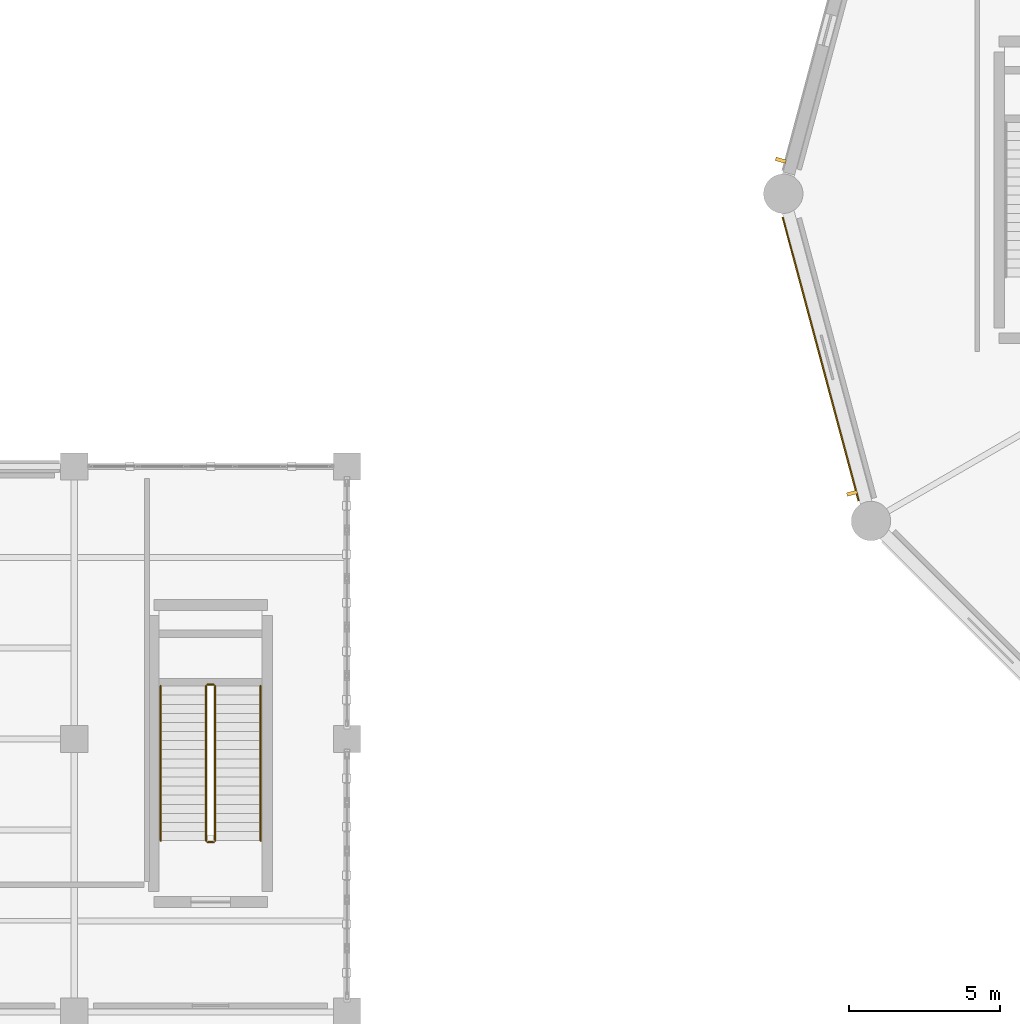
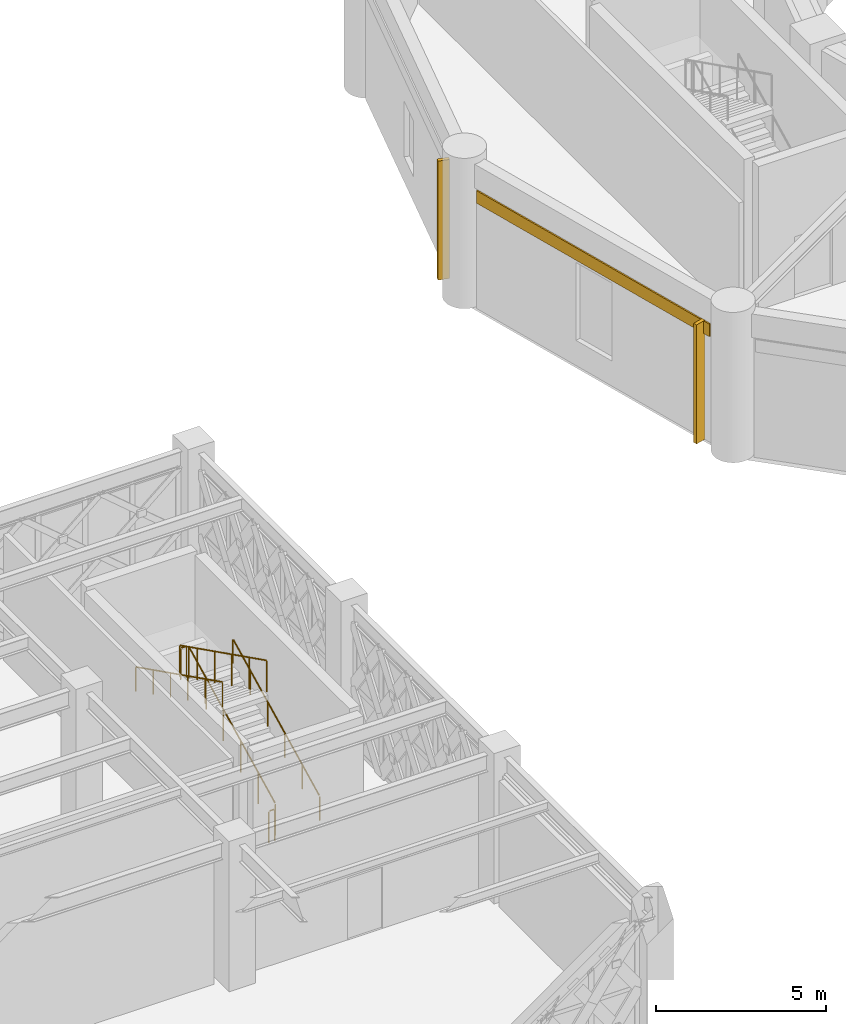
# One storey, part 155 of 166: 6 railings, 2 shading devices, 1 covering.
"""IFC4 building model written with IfcOpenShell, lengths in metres."""

import ifcopenshell
import ifcopenshell.guid

model = None  # the IFC model being written
_history = None  # IfcOwnerHistory: only IFC2X3 demands one
_inside = {}  # id of a spatial element -> (the spatial element, [elements in it])
_under = {}  # id of a project, library or spatial element -> (it, [spatial elements below it])
_declared = {}  # id of a project -> (the project, [libraries it declares])
_typed = {}  # id of a type object -> (the type object, [elements of that type])
_made_of = {}  # id of a material, layer set ... -> (it, [elements and type objects made of it])


def new_model(schema):
    """Start an empty IFC model of exactly this schema.

    Asked for "IFC4X3", IfcOpenShell would pick the latest addendum, in which some entities
    have other attributes; the version numbers below select the first issue.
    IFC2X3 requires an IfcOwnerHistory on every rooted entity: one is made here for all.
    """
    global model, _history
    if schema == "IFC4X3":
        model = ifcopenshell.file(schema_version=(4, 3, 0, 0))
    else:
        model = ifcopenshell.file(schema=schema)
    _inside.clear()
    _under.clear()
    _declared.clear()
    _typed.clear()
    _made_of.clear()
    _history = None
    if model.schema == "IFC2X3":
        org = make("IfcOrganization", Name="unknown")
        user = make(
            "IfcPersonAndOrganization",
            ThePerson=make("IfcPerson", FamilyName="unknown"),
            TheOrganization=org,
        )
        app = make(
            "IfcApplication",
            ApplicationDeveloper=org,
            Version="unknown",
            ApplicationFullName="unknown",
            ApplicationIdentifier="unknown",
        )
        _history = make(
            "IfcOwnerHistory",
            OwningUser=user,
            OwningApplication=app,
            ChangeAction="ADDED",
            CreationDate=0,
        )
    return model


def make(cls, **values):
    """One entity of the class cls with the attributes given. An attribute that is None is left unset."""
    return model.create_entity(
        cls, **{name: value for name, value in values.items() if value is not None}
    )


def rooted(cls, **values):
    """An entity with a GlobalId (a new one), such as an element, a storey or a relation."""
    return make(cls, GlobalId=ifcopenshell.guid.new(), OwnerHistory=_history, **values)


def si_unit(unit_type, name, prefix=None):
    """IfcSIUnit, for example si_unit("LENGTHUNIT", "METRE", prefix="MILLI")."""
    return make("IfcSIUnit", UnitType=unit_type, Prefix=prefix, Name=name)


def assignment(units):
    """IfcUnitAssignment: the units of a project."""
    return None if units is None else make("IfcUnitAssignment", Units=units)


def point(xyz):
    """IfcCartesianPoint."""
    return None if xyz is None else make("IfcCartesianPoint", Coordinates=xyz)


def direction(xyz):
    """IfcDirection."""
    return None if xyz is None else make("IfcDirection", DirectionRatios=xyz)


def frame(location, z_axis=None, x_axis=None):
    """IfcAxis2Placement3D, a coordinate frame: its origin and axes. An axis left out is left unset."""
    return make(
        "IfcAxis2Placement3D",
        Location=point(location),
        Axis=direction(z_axis),
        RefDirection=direction(x_axis),
    )


def frame_2d(location, x_axis=None):
    """IfcAxis2Placement2D, a coordinate frame in the plane: its origin and x axis."""
    return make(
        "IfcAxis2Placement2D", Location=point(location), RefDirection=direction(x_axis)
    )


def origin():
    """The frame at (0, 0, 0) with its axes left unset."""
    return frame((0.0, 0.0, 0.0))


def origin_2d():
    """The frame at (0, 0) in the plane with its x axis left unset."""
    return frame_2d((0.0, 0.0))


def place(relative_to, where):
    """IfcLocalPlacement: puts the frame where relative to a parent placement (None: the world)."""
    return make(
        "IfcLocalPlacement", PlacementRelTo=relative_to, RelativePlacement=where
    )


def context(
    kind, dimensions, precision=None, world=None, true_north=None, identifier=None
):
    """IfcGeometricRepresentationContext, for example the 3D "Model" context."""
    return make(
        "IfcGeometricRepresentationContext",
        ContextIdentifier=identifier,
        ContextType=kind,
        CoordinateSpaceDimension=dimensions,
        Precision=precision,
        WorldCoordinateSystem=world,
        TrueNorth=true_north,
    )


def subcontext(parent, identifier, kind, view, scale=None):
    """IfcGeometricRepresentationSubContext, for example "Body" below "Model"."""
    return make(
        "IfcGeometricRepresentationSubContext",
        ContextIdentifier=identifier,
        ContextType=kind,
        ParentContext=parent,
        TargetScale=scale,
        TargetView=view,
    )


def project(units=None, contexts=None):
    """IfcProject with its units and contexts."""
    return rooted(
        "IfcProject",
        Name="project",
        RepresentationContexts=contexts,
        UnitsInContext=assignment(units),
    )


def spatial(cls, under=None, at=None, **own):
    """A site, building, storey or space (cls), placed at a placement, below another one or the project."""
    s = rooted(cls, ObjectPlacement=at, **own)
    if under is not None:
        _under.setdefault(under.id(), (under, []))[1].append(s)
    return s


def profile(cls, at=None, kind="AREA", **sizes):
    """A parametric profile (cls). Its sizes go by their IFC names, for example OverallWidth=200.0."""
    return make(cls, ProfileType=kind, Position=at, **sizes)


def rectangle(**sizes):
    """IfcRectangleProfileDef."""
    return profile("IfcRectangleProfileDef", **sizes)


def circle(**sizes):
    """IfcCircleProfileDef."""
    return profile("IfcCircleProfileDef", **sizes)


def extrude(swept, where, along, depth):
    """IfcExtrudedAreaSolid: the profile swept, set in the frame where, extruded along a direction by depth."""
    return make(
        "IfcExtrudedAreaSolid",
        SweptArea=swept,
        Position=where,
        ExtrudedDirection=direction(along),
        Depth=depth,
    )


def shape(context_of_items, identifier, shape_type, items):
    """IfcShapeRepresentation: the items that make up one representation, for example the "Body"."""
    return make(
        "IfcShapeRepresentation",
        ContextOfItems=context_of_items,
        RepresentationIdentifier=identifier,
        RepresentationType=shape_type,
        Items=items,
    )


def material(Name=None, Category=None):
    """IfcMaterial."""
    return make("IfcMaterial", Name=Name, Category=Category)


def made_of(thing, what):
    """Note that an element or type object is made of a material, layer set ...; save() writes the relation."""
    if what is not None:
        _made_of.setdefault(what.id(), (what, []))[1].append(thing)
    return thing


def type_object(cls, material=None, **own):
    """A type object (cls), such as IfcWallType, which elements share."""
    return made_of(rooted(cls, **own), material)


def element(
    cls,
    number,
    at=None,
    inside=None,
    cuts=None,
    type_object=None,
    material=None,
    context=None,
    identifier="Body",
    shape_type=None,
    held_by="IfcProductDefinitionShape",
    body=None,
    shapes=None,
    **own,
):
    """One element of the class cls, such as IfcWall. Its Tag is "e" and its number.

    at: its placement. inside: the storey or other place that contains it. cuts: it is an
    opening in that element (IfcRelVoidsElement). A single representation is given by context,
    identifier, shape_type and body (its items); several are given by shapes. held_by: the class
    of the entity that holds the representations. save() writes the other relations.
    """
    e = rooted(cls, Tag="e%d" % number, ObjectPlacement=at, **own)
    if body is not None:
        shapes = [shape(context, identifier, shape_type, body)]
    if shapes is not None:
        e.Representation = make(held_by, Representations=shapes)
    if inside is not None:
        _inside.setdefault(inside.id(), (inside, []))[1].append(e)
    if cuts is not None:
        rooted(
            "IfcRelVoidsElement", RelatingBuildingElement=cuts, RelatedOpeningElement=e
        )
    if type_object is not None:
        _typed.setdefault(type_object.id(), (type_object, []))[1].append(e)
    return made_of(e, material)


def aggregate(whole, parts):
    """IfcRelAggregates: a whole, such as a stair, and the parts it consists of."""
    return rooted("IfcRelAggregates", RelatingObject=whole, RelatedObjects=parts)


def save(model, path):
    """Write the relations noted so far, then the file.

    IfcRelAggregates (storeys below a building ...), IfcRelContainedInSpatialStructure (elements
    in a storey), IfcRelDefinesByType, IfcRelAssociatesMaterial and IfcRelDeclares: one each for
    every whole, place, type object, material and project.
    """
    for whole, parts in _under.values():
        aggregate(whole, parts)
    for where, things in _inside.values():
        rooted(
            "IfcRelContainedInSpatialStructure",
            RelatedElements=things,
            RelatingStructure=where,
        )
    for kind, things in _typed.values():
        rooted("IfcRelDefinesByType", RelatedObjects=things, RelatingType=kind)
    for what, things in _made_of.values():
        rooted("IfcRelAssociatesMaterial", RelatedObjects=things, RelatingMaterial=what)
    for by, libraries in _declared.values():
        rooted("IfcRelDeclares", RelatingContext=by, RelatedDefinitions=libraries)
    model.write(path)


model = new_model("IFC4")

# Units and contexts
model_context = context("Model", 3, precision=1e-05, world=origin(), true_north=direction((0.0, 1.0)))
body_context = subcontext(model_context, "Body", "Model", "MODEL_VIEW")
ifc_project = project(units=[si_unit("LENGTHUNIT", "METRE"), si_unit("AREAUNIT", "SQUARE_METRE"), si_unit("VOLUMEUNIT", "CUBIC_METRE"), si_unit("PLANEANGLEUNIT", "RADIAN"), si_unit("MASSUNIT", "GRAM", prefix="KILO")], contexts=[model_context])

# Site, building, storey
site_placement = place(None, origin())
site = spatial("IfcSite", under=ifc_project, at=site_placement, CompositionType="ELEMENT")
building_placement = place(site_placement, origin())
building = spatial("IfcBuilding", under=site, at=building_placement, Name="Haizhuo Lancet Aquarium", CompositionType="ELEMENT")
storey_placement = place(building_placement, frame((0.0, 0.0, 5.39990234375)))
storey = spatial("IfcBuildingStorey", under=building, at=storey_placement, Name="L01", CompositionType="ELEMENT", Elevation=5.39990234375)

# Railings
ifc_material_1 = material(Name="Steel S355", Category="steel")
railing_type_1 = type_object("IfcRailingType", Name="RL-GRD-1150", PredefinedType="GUARDRAIL", material=ifc_material_1)
railing_1_placement = place(storey_placement, frame((-40.35009765625, -21.35009765625, 0.150146484375)))
element("IfcRailing", 1, at=railing_1_placement, inside=storey, type_object=railing_type_1, Name="L01 ST-09 stair guard 1", PredefinedType="GUARDRAIL", context=body_context, shape_type="SweptSolid", body=[
    extrude(circle(Radius=0.02392578125, at=origin_2d()), frame((0.0, 0.02685546875, 1.13916015625), z_axis=(0.0, 0.894427191, 0.4472135955), x_axis=(-1.0, 0.0, 0.0)), (0.0, 0.0, 1.0), 5.64208984375),
    extrude(circle(Radius=0.02099609375, at=origin_2d()), origin(), (0.0, 0.0, 1.0), 1.097900390625),
    extrude(circle(Radius=0.02099609375, at=origin_2d()), frame((0.0, 1.02001953125, 0.510009765625)), (0.0, 0.0, 1.0), 1.097900390625),
    extrude(circle(Radius=0.02099609375, at=origin_2d()), frame((0.0, 2.0400390625, 1.02001953125)), (0.0, 0.0, 1.0), 1.097900390625),
    extrude(circle(Radius=0.02099609375, at=origin_2d()), frame((0.0, 3.06005859375, 1.530029296875)), (0.0, 0.0, 1.0), 1.097900390625),
    extrude(circle(Radius=0.02099609375, at=origin_2d()), frame((0.0, 4.080078125, 2.0400390625)), (0.0, 0.0, 1.0), 1.097900390625),
    extrude(circle(Radius=0.02099609375, at=origin_2d()), frame((0.0, 5.10009765625, 2.550048828125)), (0.0, 0.0, 1.0), 1.097900390625),
])
railing_2_placement = place(storey_placement, frame((-40.39990234375, -16.199951171875, 2.7001953125)))
element("IfcRailing", 2, at=railing_2_placement, inside=storey, type_object=railing_type_1, Name="L01 ST-09 stair guard 2", PredefinedType="GUARDRAIL", context=body_context, shape_type="SweptSolid", body=[
    extrude(circle(Radius=0.02392578125, at=origin_2d()), frame((-0.030029296875, 0.0, 1.1259765625), z_axis=(-1.0, 0.0, 0.0), x_axis=(0.0, -1.0, 0.0)), (0.0, 0.0, 1.0), 0.14013671875),
    extrude(circle(Radius=0.02099609375, at=origin_2d()), origin(), (0.0, 0.0, 1.0), 1.097900390625),
    extrude(circle(Radius=0.02099609375, at=origin_2d()), frame((-0.2001953125, 0.0, 0.0)), (0.0, 0.0, 1.0), 1.097900390625),
])
railing_3_placement = place(storey_placement, frame((-40.64990234375, -16.25, 2.85009765625)))
element("IfcRailing", 3, at=railing_3_placement, inside=storey, type_object=railing_type_1, Name="L01 ST-09 stair guard 3", PredefinedType="GUARDRAIL", context=body_context, shape_type="SweptSolid", body=[
    extrude(circle(Radius=0.02392578125, at=origin_2d()), frame((0.0, -0.02685546875, 1.13916015625), z_axis=(0.0, -0.894427191, 0.4472135955), x_axis=(1.0, 0.0, 0.0)), (0.0, 0.0, 1.0), 5.64208984375),
    extrude(circle(Radius=0.02099609375, at=origin_2d()), origin(), (0.0, 0.0, 1.0), 1.097900390625),
    extrude(circle(Radius=0.02099609375, at=origin_2d()), frame((0.0, -1.02001953125, 0.510009765625)), (0.0, 0.0, 1.0), 1.097900390625),
    extrude(circle(Radius=0.02099609375, at=origin_2d()), frame((0.0, -2.0400390625, 1.02001953125)), (0.0, 0.0, 1.0), 1.097900390625),
    extrude(circle(Radius=0.02099609375, at=origin_2d()), frame((0.0, -3.06005859375, 1.530029296875)), (0.0, 0.0, 1.0), 1.097900390625),
    extrude(circle(Radius=0.02099609375, at=origin_2d()), frame((0.0, -4.080078125, 2.0400390625)), (0.0, 0.0, 1.0), 1.097900390625),
    extrude(circle(Radius=0.02099609375, at=origin_2d()), frame((0.0, -5.10009765625, 2.550048828125)), (0.0, 0.0, 1.0), 1.097900390625),
])
railing_4_placement = place(storey_placement, frame((-40.39990234375, -21.39990234375, 0.0)))
element("IfcRailing", 4, at=railing_4_placement, inside=storey, type_object=railing_type_1, Name="L01 ST-09 stair guard 4", PredefinedType="GUARDRAIL", context=body_context, shape_type="SweptSolid", body=[
    extrude(circle(Radius=0.02392578125, at=origin_2d()), frame((-0.030029296875, 0.0, 1.1259765625), z_axis=(-1.0, 0.0, 0.0), x_axis=(0.0, -1.0, 0.0)), (0.0, 0.0, 1.0), 0.14013671875),
    extrude(circle(Radius=0.02099609375, at=origin_2d()), origin(), (0.0, 0.0, 1.0), 1.097900390625),
    extrude(circle(Radius=0.02099609375, at=origin_2d()), frame((-0.2001953125, 0.0, 0.0)), (0.0, 0.0, 1.0), 1.097900390625),
])
railing_type_2 = type_object("IfcRailingType", Name="RL-HDR-900", PredefinedType="HANDRAIL", material=ifc_material_1)
railing_5_placement = place(storey_placement, frame((-38.85009765625, -21.35009765625, 0.150146484375)))
element("IfcRailing", 5, at=railing_5_placement, inside=storey, type_object=railing_type_2, Name="L01 ST-09 pitch handrail 1", PredefinedType="HANDRAIL", context=body_context, shape_type="SweptSolid", body=[
    extrude(circle(Radius=0.02392578125, at=origin_2d()), frame((0.0, 0.02685546875, 0.88916015625), z_axis=(0.0, 0.894427191, 0.4472135955), x_axis=(-1.0, 0.0, 0.0)), (0.0, 0.0, 1.0), 5.64208984375),
    extrude(circle(Radius=0.02099609375, at=origin_2d()), origin(), (0.0, 0.0, 1.0), 0.847900390625),
    extrude(circle(Radius=0.02099609375, at=origin_2d()), frame((0.0, 1.02001953125, 0.510009765625)), (0.0, 0.0, 1.0), 0.847900390625),
    extrude(circle(Radius=0.02099609375, at=origin_2d()), frame((0.0, 2.0400390625, 1.02001953125)), (0.0, 0.0, 1.0), 0.847900390625),
    extrude(circle(Radius=0.02099609375, at=origin_2d()), frame((0.0, 3.06005859375, 1.530029296875)), (0.0, 0.0, 1.0), 0.847900390625),
    extrude(circle(Radius=0.02099609375, at=origin_2d()), frame((0.0, 4.080078125, 2.0400390625)), (0.0, 0.0, 1.0), 0.847900390625),
    extrude(circle(Radius=0.02099609375, at=origin_2d()), frame((0.0, 5.10009765625, 2.550048828125)), (0.0, 0.0, 1.0), 0.847900390625),
])
railing_6_placement = place(storey_placement, frame((-42.14990234375, -16.25, 2.85009765625)))
element("IfcRailing", 6, at=railing_6_placement, inside=storey, type_object=railing_type_2, Name="L01 ST-09 pitch handrail 2", PredefinedType="HANDRAIL", context=body_context, shape_type="SweptSolid", body=[
    extrude(circle(Radius=0.02392578125, at=origin_2d()), frame((0.0, -0.02685546875, 0.88916015625), z_axis=(0.0, -0.894427191, 0.4472135955), x_axis=(1.0, 0.0, 0.0)), (0.0, 0.0, 1.0), 5.64208984375),
    extrude(circle(Radius=0.02099609375, at=origin_2d()), origin(), (0.0, 0.0, 1.0), 0.847900390625),
    extrude(circle(Radius=0.02099609375, at=origin_2d()), frame((0.0, -1.02001953125, 0.510009765625)), (0.0, 0.0, 1.0), 0.847900390625),
    extrude(circle(Radius=0.02099609375, at=origin_2d()), frame((0.0, -2.0400390625, 1.02001953125)), (0.0, 0.0, 1.0), 0.847900390625),
    extrude(circle(Radius=0.02099609375, at=origin_2d()), frame((0.0, -3.06005859375, 1.530029296875)), (0.0, 0.0, 1.0), 0.847900390625),
    extrude(circle(Radius=0.02099609375, at=origin_2d()), frame((0.0, -4.080078125, 2.0400390625)), (0.0, 0.0, 1.0), 0.847900390625),
    extrude(circle(Radius=0.02099609375, at=origin_2d()), frame((0.0, -5.10009765625, 2.550048828125)), (0.0, 0.0, 1.0), 0.847900390625),
])

# Covering
ifc_material_2 = material(Name="Shandong Grey Limestone Ashlar", Category="masonry")
covering_type = type_object("IfcCoveringType", Name="COV-CLD-STN", PredefinedType="CLADDING", material=ifc_material_2)
covering_placement = place(storey_placement, frame((-20.365966796875, -5.45703125, 3.8251953125), z_axis=(0.0, 0.0, 1.0), x_axis=(-0.25879394043, 0.965932552716, 0.0)))
element("IfcCovering", 7, at=covering_placement, inside=storey, type_object=covering_type, material=ifc_material_2, Name="L01 limestone ashlar spandrel cladding 7", PredefinedType="CLADDING", context=body_context, shape_type="SweptSolid", body=[
    extrude(rectangle(XDim=9.69189453125, YDim=0.050048828125, at=origin_2d()), origin(), (0.0, 0.0, 1.0), 0.449951171875),
])

# Shading devices
shading_device_type = type_object("IfcShadingDeviceType", Name="SHD-LAN-FIN", PredefinedType="JALOUSIE", material=ifc_material_2)
for number, where, z_axis, x_axis, name in (
    (8, (-21.681884765625, 1.10400390625, 0.000732421875), (0.0, 0.0, 1.0), (0.25879394043, 0.965932552716, 0.0), "L01 Gothic lancet stone solar fin 6"),
    (9, (-19.3291015625, -9.885009765625, 0.000732421875), (0.0, 0.0, 1.0), (-0.25879394043, 0.965932552716, 0.0), "L01 Gothic lancet stone solar fin 7"),
):
    element("IfcShadingDevice", number, at=place(storey_placement, frame(where, z_axis=z_axis, x_axis=x_axis)), inside=storey, type_object=shading_device_type, material=ifc_material_2, Name=name, PredefinedType="JALOUSIE", context=body_context, shape_type="SweptSolid", body=[
        extrude(rectangle(XDim=0.1201171875, YDim=0.35009765625, at=origin_2d()), origin(), (0.0, 0.0, 1.0), 4.27490234375),
    ])

save(model, "model.ifc")
